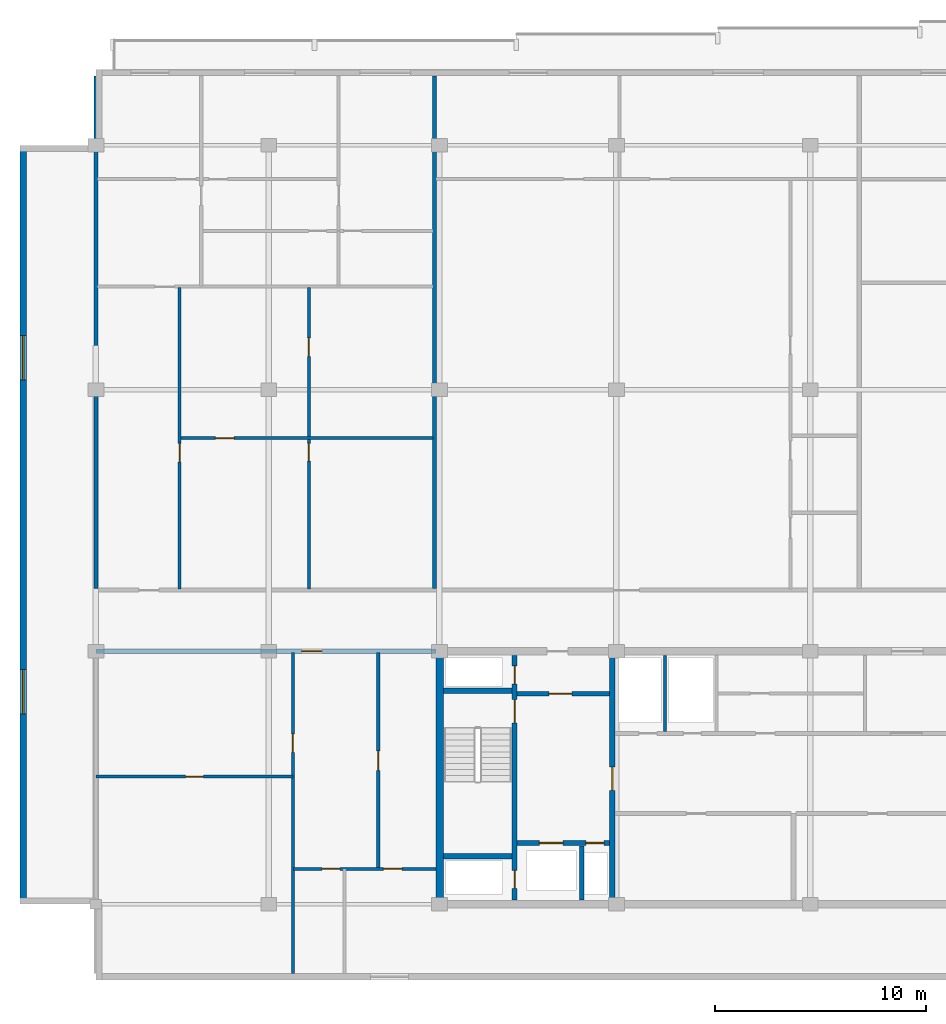
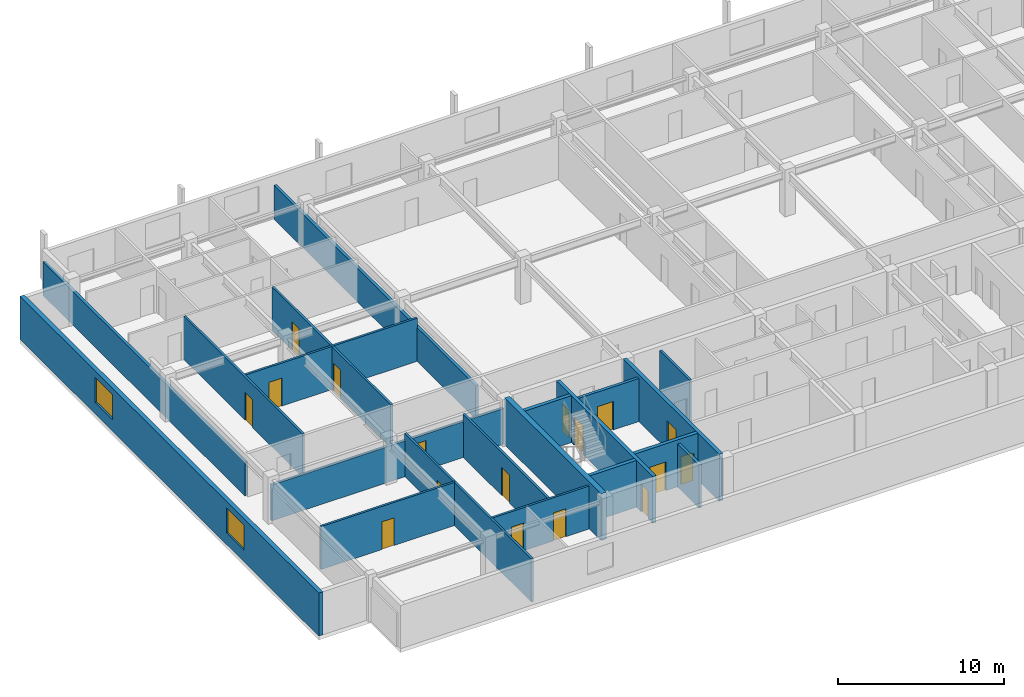
# One storey, part 3 of 10: 20 walls, 17 doors, 2 windows, 19 openings.
"""IFC4 building model written with IfcOpenShell, lengths in metres."""

from ifc_helpers import new_model, si_unit, direction, frame, frame_2d, origin, place, context, subcontext, project, spatial, rectangle, extrude, material, layer, layer_set, type_object, element, fill, save


model = new_model("IFC4")

# Units and contexts
model_context = context("Model", 3, precision=1e-05, world=origin(), true_north=direction((0.0, 1.0)))
body_context = subcontext(model_context, "Body", "Model", "MODEL_VIEW")
ifc_project = project(units=[si_unit("LENGTHUNIT", "METRE"), si_unit("AREAUNIT", "SQUARE_METRE"), si_unit("VOLUMEUNIT", "CUBIC_METRE"), si_unit("PLANEANGLEUNIT", "RADIAN"), si_unit("MASSUNIT", "GRAM", prefix="KILO")], contexts=[model_context])

# Site, building, storey
site_placement = place(None, origin())
site = spatial("IfcSite", under=ifc_project, at=site_placement, CompositionType="ELEMENT")
building_placement = place(site_placement, origin())
building = spatial("IfcBuilding", under=site, at=building_placement, Name="Korimba Cascade Residences", CompositionType="ELEMENT")
storey_placement = place(building_placement, frame((0.0, 0.0, 245.89990234375)))
storey = spatial("IfcBuildingStorey", under=building, at=storey_placement, Name="L71", CompositionType="ELEMENT", Elevation=245.89990234375)

# Wall, openings, windows
ifc_material_1 = material(Name="Precast concrete C40/50", Category="concrete")
ifc_layer_1 = layer(ifc_material_1, 0.300048828125)
ifc_layer_set_1 = layer_set([ifc_layer_1], Name="Precast concrete C40/50")
wall_type_1 = type_object("IfcWallType", Name="EW-STONE-300", PredefinedType="STANDARD", material=ifc_layer_set_1)
wall_1_placement = place(storey_placement, frame((56.35009765625, 91.199951171875, 0.0), z_axis=(0.0, 0.0, 1.0), x_axis=(0.0, -1.0, 0.0)))
wall_1 = element("IfcWall", 1, at=wall_1_placement, inside=storey, type_object=wall_type_1, Name="L71 T1 Perimeter Stone Wall E09", PredefinedType="STANDARD", context=body_context, shape_type="SweptSolid", body=[
    extrude(rectangle(XDim=36.0, YDim=0.300048828125, at=frame_2d((18.0, 0.0))), origin(), (0.0, 0.0, 1.0), 3.170166015625),
])
opening_1_placement = place(wall_1_placement, frame((9.030029296875, 0.0, 0.85009765625)))
opening_1 = element("IfcOpeningElement", 2, at=opening_1_placement, cuts=wall_1, Name="Opening W-03", PredefinedType="OPENING", context=body_context, shape_type="SweptSolid", body=[
    extrude(rectangle(XDim=2.10009765625, YDim=1.85009765625, at=frame_2d((1.050048828125, 0.925048828125))), frame((0.0, 0.16015625, 0.0), z_axis=(0.0, -1.0, 0.0), x_axis=(1.0, 0.0, 0.0)), (0.0, 0.0, 1.0), 0.320068359375),
])
opening_2_placement = place(wall_1_placement, frame((24.8701171875, 0.0, 0.85009765625)))
opening_2 = element("IfcOpeningElement", 3, at=opening_2_placement, cuts=wall_1, Name="Opening W-03", PredefinedType="OPENING", context=body_context, shape_type="SweptSolid", body=[
    extrude(rectangle(XDim=2.10009765625, YDim=1.85009765625, at=frame_2d((1.050048828125, 0.925048828125))), frame((0.0, 0.16015625, 0.0), z_axis=(0.0, -1.0, 0.0), x_axis=(1.0, 0.0, 0.0)), (0.0, 0.0, 1.0), 0.320068359375),
])
ifc_material_2 = material(Name="Double-Glazed Aluminium Window", Category="aluminium")
window_type = type_object("IfcWindowType", Name="WIN-CRN-2100", PartitioningType="DOUBLE_PANEL_HORIZONTAL", PredefinedType="WINDOW", material=ifc_material_2)
window_1_placement = place(opening_1_placement, origin())
window_1 = element("IfcWindow", 4, at=window_1_placement, inside=storey, type_object=window_type, Name="L71 T1 End View Window 9.1", OverallHeight=1.85009765625, OverallWidth=2.10009765625, PartitioningType="DOUBLE_PANEL_HORIZONTAL", PredefinedType="WINDOW", context=body_context, shape_type="SweptSolid", body=[
    extrude(rectangle(XDim=2.10009765625, YDim=1.85009765625, at=frame_2d((1.050048828125, 0.925048828125))), frame((0.0, 0.030029296875, 0.0), z_axis=(0.0, -1.0, 0.0), x_axis=(1.0, 0.0, 0.0)), (0.0, 0.0, 1.0), 0.06005859375),
])
fill(opening_1, window_1)
window_2_placement = place(opening_2_placement, origin())
window_2 = element("IfcWindow", 5, at=window_2_placement, inside=storey, type_object=window_type, Name="L71 T1 End View Window 9.2", OverallHeight=1.85009765625, OverallWidth=2.10009765625, PartitioningType="DOUBLE_PANEL_HORIZONTAL", PredefinedType="WINDOW", context=body_context, shape_type="SweptSolid", body=[
    extrude(rectangle(XDim=2.10009765625, YDim=1.85009765625, at=frame_2d((1.050048828125, 0.925048828125))), frame((0.0, 0.030029296875, 0.0), z_axis=(0.0, -1.0, 0.0), x_axis=(1.0, 0.0, 0.0)), (0.0, 0.0, 1.0), 0.06005859375),
])
fill(opening_2, window_2)

# Wall
ifc_material_3 = material(Name="Concrete C65/80", Category="concrete")
ifc_layer_2 = layer(ifc_material_3, 0.35009765625)
ifc_layer_set_2 = layer_set([ifc_layer_2], Name="Concrete C65/80")
wall_type_2 = type_object("IfcWallType", Name="WAL-CORE-350", PredefinedType="SHEAR", material=ifc_layer_set_2)
wall_2_placement = place(storey_placement, frame((76.125, 55.375, 0.0), z_axis=(0.0, 0.0, 1.0), x_axis=(0.0, 1.0, 0.0)))
element("IfcWall", 6, at=wall_2_placement, inside=storey, type_object=wall_type_2, Name="L71 Core Shear Wall CW-L71-T1-W", PredefinedType="SHEAR", context=body_context, shape_type="SweptSolid", body=[
    extrude(rectangle(XDim=11.64990234375, YDim=0.35009765625, at=frame_2d((5.824951171875, 0.0))), origin(), (0.0, 0.0, 1.0), 3.4501953125),
])

# Wall, opening, door
ifc_layer_3 = layer(ifc_material_1, 0.199951171875)
ifc_layer_set_3 = layer_set([ifc_layer_3], Name="Precast concrete C40/50")
wall_type_3 = type_object("IfcWallType", Name="WAL-IT-200", PredefinedType="PARTITIONING", material=ifc_layer_set_3)
wall_3_placement = place(storey_placement, frame((59.800048828125, 67.199951171875, 0.0), z_axis=(0.0, 0.0, 1.0), x_axis=(1.0, 0.0, 0.0)))
wall_3 = element("IfcWall", 7, at=wall_3_placement, inside=storey, type_object=wall_type_3, Name="L71 Partition Wall WAL-L71-T1-FW-N", PredefinedType="PARTITIONING", context=body_context, shape_type="SweptSolid", body=[
    extrude(rectangle(XDim=16.14990234375, YDim=0.199951171875, at=frame_2d((8.074951171875, 0.0))), origin(), (0.0, 0.0, 1.0), 2.63330078125),
])
opening_3_placement = place(wall_3_placement, frame((9.7724609375, 0.0, 0.0)))
opening_3 = element("IfcOpeningElement", 8, at=opening_3_placement, cuts=wall_3, Name="Opening D-UN1", PredefinedType="OPENING", context=body_context, shape_type="SweptSolid", body=[
    extrude(rectangle(XDim=0.949951171875, YDim=2.14990234375, at=frame_2d((0.47509765625, 1.074951171875))), frame((0.0, 0.10986328125, 0.0), z_axis=(0.0, -1.0, 0.0), x_axis=(1.0, 0.0, 0.0)), (0.0, 0.0, 1.0), 0.219970703125),
])
ifc_material_4 = material(Name="Fire-Rated Hardwood Apartment Entrance Door", Category="wood")
door_type_1 = type_object("IfcDoorType", Name="DR-FD60-950", OperationType="NOTDEFINED", PredefinedType="DOOR", material=ifc_material_4)
door_1_placement = place(opening_3_placement, origin())
door_1 = element("IfcDoor", 9, at=door_1_placement, inside=storey, type_object=door_type_1, Name="L71-T1-FW Entrance Door", OperationType="SINGLE_SWING_LEFT", OverallHeight=2.14990234375, OverallWidth=0.949951171875, PredefinedType="DOOR", context=body_context, shape_type="SweptSolid", body=[
    extrude(rectangle(XDim=0.949951171875, YDim=2.14990234375, at=frame_2d((0.47509765625, 1.074951171875))), frame((0.0, 0.02490234375, 0.0), z_axis=(0.0, -1.0, 0.0), x_axis=(1.0, 0.0, 0.0)), (0.0, 0.0, 1.0), 0.050048828125),
])
fill(opening_3, door_1)

# Walls
for number, where, z_axis, x_axis, name in (
    (10, (59.800048828125, 70.179931640625, 0.0), (0.0, 0.0, 1.0), (0.0, 1.0, 0.0), "L71 Partition Wall WAL-L71-T1-BNDWL"),
    (11, (75.864990234375, 70.179931640625, 0.0), (0.0, 0.0, 1.0), (0.0, 1.0, 0.0), "L71 Partition Wall WAL-L71-T1-DEM-1"),
):
    element("IfcWall", number, at=place(storey_placement, frame(where, z_axis=z_axis, x_axis=x_axis)), inside=storey, type_object=wall_type_3, Name=name, PredefinedType="PARTITIONING", context=body_context, shape_type="SweptSolid", body=[
        extrude(rectangle(XDim=24.320068359375, YDim=0.199951171875, at=frame_2d((12.16015625, 0.0))), origin(), (0.0, 0.0, 1.0), 2.477294921875),
    ])
ifc_material_5 = material(Name="Insulated Acoustic Stud Partition", Category="gypsum")
ifc_layer_4 = layer(ifc_material_5, 0.14990234375)
ifc_layer_set_4 = layer_set([ifc_layer_4], Name="Insulated Acoustic Stud Partition")
wall_type_4 = type_object("IfcWallType", Name="WAL-PART-150", PredefinedType="PARTITIONING", material=ifc_layer_set_4)
wall_4_placement = place(storey_placement, frame((86.800048828125, 63.39990234375, 0.0), z_axis=(0.0, 0.0, 1.0), x_axis=(0.0, 1.0, 0.0)))
element("IfcWall", 12, at=wall_4_placement, inside=storey, type_object=wall_type_4, Name="L71 Partition Wall CW-L71-T1-ERDIV", PredefinedType="PARTITIONING", context=body_context, shape_type="SweptSolid", body=[
    extrude(rectangle(XDim=3.60009765625, YDim=0.14990234375, at=frame_2d((1.800048828125, 0.0))), origin(), (0.0, 0.0, 1.0), 3.170166015625),
])

# Wall, opening, door
wall_5_placement = place(storey_placement, frame((59.800048828125, 61.25, 0.0), z_axis=(0.0, 0.0, 1.0), x_axis=(1.0, 0.0, 0.0)))
wall_5 = element("IfcWall", 13, at=wall_5_placement, inside=storey, type_object=wall_type_4, Name="L71 Partition Wall WAL-L71-T1-FW-STH", PredefinedType="PARTITIONING", context=body_context, shape_type="SweptSolid", body=[
    extrude(rectangle(XDim=9.349853515625, YDim=0.14990234375, at=frame_2d((4.6748046875, 0.0))), origin(), (0.0, 0.0, 1.0), 3.170166015625),
])
opening_4_placement = place(wall_5_placement, frame((4.2548828125, 0.0, 0.0)))
opening_4 = element("IfcOpeningElement", 14, at=opening_4_placement, cuts=wall_5, Name="Opening D-BT1", PredefinedType="OPENING", context=body_context, shape_type="SweptSolid", body=[
    extrude(rectangle(XDim=0.840087890625, YDim=2.0400390625, at=frame_2d((0.419921875, 1.02001953125))), frame((0.0, 0.0849609375, 0.0), z_axis=(0.0, -1.0, 0.0), x_axis=(1.0, 0.0, 0.0)), (0.0, 0.0, 1.0), 0.169921875),
])
ifc_material_6 = material(Name="Moisture-Resistant Bathroom Timber Door", Category="wood")
door_type_2 = type_object("IfcDoorType", Name="DR-INT-850", OperationType="NOTDEFINED", PredefinedType="DOOR", material=ifc_material_6)
door_2_placement = place(opening_4_placement, origin())
door_2 = element("IfcDoor", 15, at=door_2_placement, inside=storey, type_object=door_type_2, Name="L71-T1-FW Dressing Store Door", OperationType="SINGLE_SWING_RIGHT", OverallHeight=2.0400390625, OverallWidth=0.840087890625, PredefinedType="DOOR", context=body_context, shape_type="SweptSolid", body=[
    extrude(rectangle(XDim=0.840087890625, YDim=2.0400390625, at=frame_2d((0.419921875, 1.02001953125))), frame((0.0, 0.02490234375, 0.0), z_axis=(0.0, -1.0, 0.0), x_axis=(1.0, 0.0, 0.0)), (0.0, 0.0, 1.0), 0.050048828125),
])
fill(opening_4, door_2)

wall_6_placement = place(storey_placement, frame((69.14990234375, 51.89990234375, 0.0), z_axis=(0.0, 0.0, 1.0), x_axis=(0.0, 1.0, 0.0)))
wall_6 = element("IfcWall", 16, at=wall_6_placement, inside=storey, type_object=wall_type_4, Name="L71 Partition Wall WAL-L71-T1-FW-STV", PredefinedType="PARTITIONING", context=body_context, shape_type="SweptSolid", body=[
    extrude(rectangle(XDim=15.25, YDim=0.14990234375, at=frame_2d((7.625, 0.0))), origin(), (0.0, 0.0, 1.0), 3.170166015625),
])
opening_5_placement = place(wall_6_placement, frame((10.5, 0.0, 0.0)))
opening_5 = element("IfcOpeningElement", 17, at=opening_5_placement, cuts=wall_6, Name="Opening D-IN2", PredefinedType="OPENING", context=body_context, shape_type="SweptSolid", body=[
    extrude(rectangle(XDim=0.8798828125, YDim=2.06005859375, at=frame_2d((0.43994140625, 1.030029296875))), frame((0.0, 0.0849609375, 0.0), z_axis=(0.0, -1.0, 0.0), x_axis=(1.0, 0.0, 0.0)), (0.0, 0.0, 1.0), 0.169921875),
])
ifc_material_7 = material(Name="Acoustic Timber Bedroom Door", Category="wood")
door_type_3 = type_object("IfcDoorType", Name="DR-INT-880", OperationType="NOTDEFINED", PredefinedType="DOOR", material=ifc_material_7)
door_3_placement = place(opening_5_placement, origin())
door_3 = element("IfcDoor", 18, at=door_3_placement, inside=storey, type_object=door_type_3, Name="L71-T1-FW Study Door", OperationType="SINGLE_SWING_LEFT", OverallHeight=2.06005859375, OverallWidth=0.8798828125, PredefinedType="DOOR", context=body_context, shape_type="SweptSolid", body=[
    extrude(rectangle(XDim=0.8798828125, YDim=2.06005859375, at=frame_2d((0.43994140625, 1.030029296875))), frame((0.0, 0.02490234375, 0.0), z_axis=(0.0, -1.0, 0.0), x_axis=(1.0, 0.0, 0.0)), (0.0, 0.0, 1.0), 0.050048828125),
])
fill(opening_5, door_3)

wall_7_placement = place(storey_placement, frame((73.199951171875, 56.8701171875, 0.0), z_axis=(0.0, 0.0, 1.0), x_axis=(0.0, 1.0, 0.0)))
wall_7 = element("IfcWall", 19, at=wall_7_placement, inside=storey, type_object=wall_type_4, Name="L71 Partition Wall WAL-L71-T1-FW-VN", PredefinedType="PARTITIONING", context=body_context, shape_type="SweptSolid", body=[
    extrude(rectangle(XDim=10.27978515625, YDim=0.14990234375, at=frame_2d((5.139892578125, 0.0))), origin(), (0.0, 0.0, 1.0), 3.170166015625),
])
opening_6_placement = place(wall_7_placement, frame((4.679931640625, 0.0, 0.0)))
opening_6 = element("IfcOpeningElement", 20, at=opening_6_placement, cuts=wall_7, Name="Opening D-IN1", PredefinedType="OPENING", context=body_context, shape_type="SweptSolid", body=[
    extrude(rectangle(XDim=0.919921875, YDim=2.080078125, at=frame_2d((0.4599609375, 1.0400390625))), frame((0.0, 0.0849609375, 0.0), z_axis=(0.0, -1.0, 0.0), x_axis=(1.0, 0.0, 0.0)), (0.0, 0.0, 1.0), 0.169921875),
])
ifc_material_8 = material(Name="Acoustic Timber Living Door", Category="wood")
door_type_4 = type_object("IfcDoorType", Name="DR-INT-920", OperationType="NOTDEFINED", PredefinedType="DOOR", material=ifc_material_8)
door_4_placement = place(opening_6_placement, origin())
door_4 = element("IfcDoor", 21, at=door_4_placement, inside=storey, type_object=door_type_4, Name="L71-T1-FW Living Door", OperationType="SINGLE_SWING_RIGHT", OverallHeight=2.080078125, OverallWidth=0.919921875, PredefinedType="DOOR", context=body_context, shape_type="SweptSolid", body=[
    extrude(rectangle(XDim=0.919921875, YDim=2.080078125, at=frame_2d((0.4599609375, 1.0400390625))), frame((0.0, 0.02490234375, 0.0), z_axis=(0.0, -1.0, 0.0), x_axis=(1.0, 0.0, 0.0)), (0.0, 0.0, 1.0), 0.050048828125),
])
fill(opening_6, door_4)

# Wall, openings, doors
wall_8_placement = place(storey_placement, frame((69.169921875, 56.8701171875, 0.0), z_axis=(0.0, 0.0, 1.0), x_axis=(1.0, 0.0, 0.0)))
wall_8 = element("IfcWall", 22, at=wall_8_placement, inside=storey, type_object=wall_type_4, Name="L71 Partition Wall WAL-L71-T1-FW-H", PredefinedType="PARTITIONING", context=body_context, shape_type="SweptSolid", body=[
    extrude(rectangle(XDim=6.760009765625, YDim=0.14990234375, at=frame_2d((3.3798828125, 0.0))), origin(), (0.0, 0.0, 1.0), 3.170166015625),
])
opening_7_placement = place(wall_8_placement, frame((1.3623046875, 0.0, 0.0)))
opening_7 = element("IfcOpeningElement", 23, at=opening_7_placement, cuts=wall_8, Name="Opening D-BT1", PredefinedType="OPENING", context=body_context, shape_type="SweptSolid", body=[
    extrude(rectangle(XDim=0.840087890625, YDim=2.0400390625, at=frame_2d((0.419921875, 1.02001953125))), frame((0.0, 0.0849609375, 0.0), z_axis=(0.0, -1.0, 0.0), x_axis=(1.0, 0.0, 0.0)), (0.0, 0.0, 1.0), 0.169921875),
])
opening_8_placement = place(wall_8_placement, frame((4.276611328125, 0.0, 0.0)))
opening_8 = element("IfcOpeningElement", 24, at=opening_8_placement, cuts=wall_8, Name="Opening D-IN2", PredefinedType="OPENING", context=body_context, shape_type="SweptSolid", body=[
    extrude(rectangle(XDim=0.8798828125, YDim=2.06005859375, at=frame_2d((0.43994140625, 1.030029296875))), frame((0.0, 0.0849609375, 0.0), z_axis=(0.0, -1.0, 0.0), x_axis=(1.0, 0.0, 0.0)), (0.0, 0.0, 1.0), 0.169921875),
])
door_5_placement = place(opening_7_placement, origin())
door_5 = element("IfcDoor", 25, at=door_5_placement, inside=storey, type_object=door_type_2, Name="L71-T1-FW Bathroom Door", OperationType="SINGLE_SWING_LEFT", OverallHeight=2.0400390625, OverallWidth=0.840087890625, PredefinedType="DOOR", context=body_context, shape_type="SweptSolid", body=[
    extrude(rectangle(XDim=0.840087890625, YDim=2.0400390625, at=frame_2d((0.419921875, 1.02001953125))), frame((0.0, 0.02490234375, 0.0), z_axis=(0.0, -1.0, 0.0), x_axis=(1.0, 0.0, 0.0)), (0.0, 0.0, 1.0), 0.050048828125),
])
fill(opening_7, door_5)
door_6_placement = place(opening_8_placement, origin())
door_6 = element("IfcDoor", 26, at=door_6_placement, inside=storey, type_object=door_type_3, Name="L71-T1-FW Bedroom Door", OperationType="SINGLE_SWING_RIGHT", OverallHeight=2.06005859375, OverallWidth=0.8798828125, PredefinedType="DOOR", context=body_context, shape_type="SweptSolid", body=[
    extrude(rectangle(XDim=0.8798828125, YDim=2.06005859375, at=frame_2d((0.43994140625, 1.030029296875))), frame((0.0, 0.02490234375, 0.0), z_axis=(0.0, -1.0, 0.0), x_axis=(1.0, 0.0, 0.0)), (0.0, 0.0, 1.0), 0.050048828125),
])
fill(opening_8, door_6)

wall_9_placement = place(storey_placement, frame((69.90771484375, 70.159912109375, 0.0), z_axis=(0.0, 0.0, 1.0), x_axis=(0.0, 1.0, 0.0)))
wall_9 = element("IfcWall", 27, at=wall_9_placement, inside=storey, type_object=wall_type_4, Name="L71 Partition Wall WAL-L71-T1-U01-FMV", PredefinedType="PARTITIONING", context=body_context, shape_type="SweptSolid", body=[
    extrude(rectangle(XDim=14.300048828125, YDim=0.14990234375, at=frame_2d((7.14990234375, 0.0))), origin(), (0.0, 0.0, 1.0), 3.170166015625),
])
opening_9_placement = place(wall_9_placement, frame((6.06005859375, 0.0, 0.0)))
opening_9 = element("IfcOpeningElement", 28, at=opening_9_placement, cuts=wall_9, Name="Opening D-BT1", PredefinedType="OPENING", context=body_context, shape_type="SweptSolid", body=[
    extrude(rectangle(XDim=0.840087890625, YDim=2.0400390625, at=frame_2d((0.419921875, 1.02001953125))), frame((0.0, 0.0849609375, 0.0), z_axis=(0.0, -1.0, 0.0), x_axis=(1.0, 0.0, 0.0)), (0.0, 0.0, 1.0), 0.169921875),
])
opening_10_placement = place(wall_9_placement, frame((11.02880859375, 0.0, 0.0)))
opening_10 = element("IfcOpeningElement", 29, at=opening_10_placement, cuts=wall_9, Name="Opening D-IN2", PredefinedType="OPENING", context=body_context, shape_type="SweptSolid", body=[
    extrude(rectangle(XDim=0.8798828125, YDim=2.06005859375, at=frame_2d((0.43994140625, 1.030029296875))), frame((0.0, 0.0849609375, 0.0), z_axis=(0.0, -1.0, 0.0), x_axis=(1.0, 0.0, 0.0)), (0.0, 0.0, 1.0), 0.169921875),
])
door_7_placement = place(opening_9_placement, origin())
door_7 = element("IfcDoor", 30, at=door_7_placement, inside=storey, type_object=door_type_2, Name="L71-T1-U01 Wardrobe Door", OperationType="SINGLE_SWING_RIGHT", OverallHeight=2.0400390625, OverallWidth=0.840087890625, PredefinedType="DOOR", context=body_context, shape_type="SweptSolid", body=[
    extrude(rectangle(XDim=0.840087890625, YDim=2.0400390625, at=frame_2d((0.419921875, 1.02001953125))), frame((0.0, 0.02490234375, 0.0), z_axis=(0.0, -1.0, 0.0), x_axis=(1.0, 0.0, 0.0)), (0.0, 0.0, 1.0), 0.050048828125),
])
fill(opening_9, door_7)
door_8_placement = place(opening_10_placement, origin())
door_8 = element("IfcDoor", 31, at=door_8_placement, inside=storey, type_object=door_type_3, Name="L71-T1-U01 Music Lounge Door", OperationType="SINGLE_SWING_LEFT", OverallHeight=2.06005859375, OverallWidth=0.8798828125, PredefinedType="DOOR", context=body_context, shape_type="SweptSolid", body=[
    extrude(rectangle(XDim=0.8798828125, YDim=2.06005859375, at=frame_2d((0.43994140625, 1.030029296875))), frame((0.0, 0.02490234375, 0.0), z_axis=(0.0, -1.0, 0.0), x_axis=(1.0, 0.0, 0.0)), (0.0, 0.0, 1.0), 0.050048828125),
])
fill(opening_10, door_8)

# Wall, opening, door
wall_10_placement = place(storey_placement, frame((63.830078125, 77.31005859375, 0.0), z_axis=(0.0, 0.0, 1.0), x_axis=(1.0, 0.0, 0.0)))
wall_10 = element("IfcWall", 32, at=wall_10_placement, inside=storey, type_object=wall_type_4, Name="L71 Partition Wall WAL-L71-T1-U01-FMH", PredefinedType="PARTITIONING", context=body_context, shape_type="SweptSolid", body=[
    extrude(rectangle(XDim=11.955078125, YDim=0.14990234375, at=frame_2d((5.9775390625, 0.0))), origin(), (0.0, 0.0, 1.0), 3.170166015625),
])
opening_11_placement = place(wall_10_placement, frame((1.645751953125, 0.0, 0.0)))
opening_11 = element("IfcOpeningElement", 33, at=opening_11_placement, cuts=wall_10, Name="Opening D-IN2", PredefinedType="OPENING", context=body_context, shape_type="SweptSolid", body=[
    extrude(rectangle(XDim=0.8798828125, YDim=2.06005859375, at=frame_2d((0.43994140625, 1.030029296875))), frame((0.0, 0.0849609375, 0.0), z_axis=(0.0, -1.0, 0.0), x_axis=(1.0, 0.0, 0.0)), (0.0, 0.0, 1.0), 0.169921875),
])
door_9_placement = place(opening_11_placement, origin())
door_9 = element("IfcDoor", 34, at=door_9_placement, inside=storey, type_object=door_type_3, Name="L71-T1-U01 Library Salon Door", OperationType="SINGLE_SWING_RIGHT", OverallHeight=2.06005859375, OverallWidth=0.8798828125, PredefinedType="DOOR", context=body_context, shape_type="SweptSolid", body=[
    extrude(rectangle(XDim=0.8798828125, YDim=2.06005859375, at=frame_2d((0.43994140625, 1.030029296875))), frame((0.0, 0.02490234375, 0.0), z_axis=(0.0, -1.0, 0.0), x_axis=(1.0, 0.0, 0.0)), (0.0, 0.0, 1.0), 0.050048828125),
])
fill(opening_11, door_9)

wall_11_placement = place(storey_placement, frame((63.77001953125, 70.159912109375, 0.0), z_axis=(0.0, 0.0, 1.0), x_axis=(0.0, 1.0, 0.0)))
wall_11 = element("IfcWall", 35, at=wall_11_placement, inside=storey, type_object=wall_type_4, Name="L71 Partition Wall WAL-L71-T1-U01-FV", PredefinedType="PARTITIONING", context=body_context, shape_type="SweptSolid", body=[
    extrude(rectangle(XDim=14.300048828125, YDim=0.14990234375, at=frame_2d((7.14990234375, 0.0))), origin(), (0.0, 0.0, 1.0), 3.170166015625),
])
opening_12_placement = place(wall_11_placement, frame((6.02001953125, 0.0, 0.0)))
opening_12 = element("IfcOpeningElement", 36, at=opening_12_placement, cuts=wall_11, Name="Opening D-IN2", PredefinedType="OPENING", context=body_context, shape_type="SweptSolid", body=[
    extrude(rectangle(XDim=0.8798828125, YDim=2.06005859375, at=frame_2d((0.43994140625, 1.030029296875))), frame((0.0, 0.0849609375, 0.0), z_axis=(0.0, -1.0, 0.0), x_axis=(1.0, 0.0, 0.0)), (0.0, 0.0, 1.0), 0.169921875),
])
door_10_placement = place(opening_12_placement, origin())
door_10 = element("IfcDoor", 37, at=door_10_placement, inside=storey, type_object=door_type_3, Name="L71-T1-U01 Media Lounge Door", OperationType="SINGLE_SWING_LEFT", OverallHeight=2.06005859375, OverallWidth=0.8798828125, PredefinedType="DOOR", context=body_context, shape_type="SweptSolid", body=[
    extrude(rectangle(XDim=0.8798828125, YDim=2.06005859375, at=frame_2d((0.43994140625, 1.030029296875))), frame((0.0, 0.02490234375, 0.0), z_axis=(0.0, -1.0, 0.0), x_axis=(1.0, 0.0, 0.0)), (0.0, 0.0, 1.0), 0.050048828125),
])
fill(opening_12, door_10)

# Wall
ifc_material_9 = material(Name="Concrete C40/50", Category="concrete")
ifc_layer_5 = layer(ifc_material_9, 0.199951171875)
ifc_layer_set_5 = layer_set([ifc_layer_5], Name="Concrete C40/50")
wall_type_5 = type_object("IfcWallType", Name="WAL-PART-200", PredefinedType="PARTITIONING", material=ifc_layer_set_5)
wall_12_placement = place(storey_placement, frame((82.85009765625, 55.39990234375, 0.0), z_axis=(0.0, 0.0, 1.0), x_axis=(0.0, 1.0, 0.0)))
element("IfcWall", 38, at=wall_12_placement, inside=storey, type_object=wall_type_5, Name="L71 Partition Wall CW-L71-T1-FFLDIV", PredefinedType="PARTITIONING", context=body_context, shape_type="SweptSolid", body=[
    extrude(rectangle(XDim=2.56005859375, YDim=0.199951171875, at=frame_2d((1.280029296875, 0.0))), origin(), (0.0, 0.0, 1.0), 3.170166015625),
])

# Wall, opening, door
wall_13_placement = place(storey_placement, frame((79.7900390625, 65.179931640625, 0.0), z_axis=(0.0, 0.0, 1.0), x_axis=(1.0, 0.0, 0.0)))
wall_13 = element("IfcWall", 39, at=wall_13_placement, inside=storey, type_object=wall_type_5, Name="L71 Partition Wall CW-L71-T1-FFLN", PredefinedType="PARTITIONING", context=body_context, shape_type="SweptSolid", body=[
    extrude(rectangle(XDim=4.389892578125, YDim=0.199951171875, at=frame_2d((2.19482421875, 0.0))), origin(), (0.0, 0.0, 1.0), 3.170166015625),
])
opening_13_placement = place(wall_13_placement, frame((1.5, 0.0, 0.0)))
opening_13 = element("IfcOpeningElement", 40, at=opening_13_placement, cuts=wall_13, Name="Opening D-FD1", PredefinedType="OPENING", context=body_context, shape_type="SweptSolid", body=[
    extrude(rectangle(XDim=1.10009765625, YDim=2.10009765625, at=frame_2d((0.550048828125, 1.050048828125))), frame((0.0, 0.10986328125, 0.0), z_axis=(0.0, -1.0, 0.0), x_axis=(1.0, 0.0, 0.0)), (0.0, 0.0, 1.0), 0.219970703125),
])
ifc_material_10 = material(Name="Fire-Rated Steel Core Door", Category="steel")
door_type_5 = type_object("IfcDoorType", Name="DR-FD120-1100", OperationType="NOTDEFINED", PredefinedType="DOOR", material=ifc_material_10)
door_11_placement = place(opening_13_placement, origin())
door_11 = element("IfcDoor", 41, at=door_11_placement, inside=storey, type_object=door_type_5, Name="L71 West Firefighting Lobby Door", OperationType="SINGLE_SWING_LEFT", OverallHeight=2.10009765625, OverallWidth=1.10009765625, PredefinedType="DOOR", context=body_context, shape_type="SweptSolid", body=[
    extrude(rectangle(XDim=1.10009765625, YDim=2.10009765625, at=frame_2d((0.550048828125, 1.050048828125))), frame((0.0, 0.02490234375, 0.0), z_axis=(0.0, -1.0, 0.0), x_axis=(1.0, 0.0, 0.0)), (0.0, 0.0, 1.0), 0.050048828125),
])
fill(opening_13, door_11)

# Wall, openings, doors
ifc_material_11 = material(Name="Concrete C50/60", Category="concrete")
ifc_layer_6 = layer(ifc_material_11, 0.25)
ifc_layer_set_6 = layer_set([ifc_layer_6], Name="Concrete C50/60")
wall_type_6 = type_object("IfcWallType", Name="WAL-SHAFT-250", PredefinedType="SHEAR", material=ifc_layer_set_6)
wall_14_placement = place(storey_placement, frame((79.6650390625, 55.39990234375, 0.0), z_axis=(0.0, 0.0, 1.0), x_axis=(0.0, 1.0, 0.0)))
wall_14 = element("IfcWall", 42, at=wall_14_placement, inside=storey, type_object=wall_type_6, Name="L71 Core Shear Wall CW-L71-T1-STW1E", PredefinedType="SHEAR", context=body_context, shape_type="SweptSolid", body=[
    extrude(rectangle(XDim=11.60009765625, YDim=0.25, at=frame_2d((5.800048828125, 0.0))), origin(), (0.0, 0.0, 1.0), 3.4501953125),
])
opening_14_placement = place(wall_14_placement, frame((0.550048828125, 0.0, 0.0)))
opening_14 = element("IfcOpeningElement", 43, at=opening_14_placement, cuts=wall_14, Name="Opening D-RS1", PredefinedType="OPENING", context=body_context, shape_type="SweptSolid", body=[
    extrude(rectangle(XDim=0.85009765625, YDim=2.050048828125, at=frame_2d((0.425048828125, 1.02490234375))), frame((0.0, 0.135009765625, 0.0), z_axis=(0.0, -1.0, 0.0), x_axis=(1.0, 0.0, 0.0)), (0.0, 0.0, 1.0), 0.27001953125),
])
opening_15_placement = place(wall_14_placement, frame((8.39990234375, 0.0, 0.0)))
opening_15 = element("IfcOpeningElement", 44, at=opening_15_placement, cuts=wall_14, Name="Opening D-FD1", PredefinedType="OPENING", context=body_context, shape_type="SweptSolid", body=[
    extrude(rectangle(XDim=1.10009765625, YDim=2.10009765625, at=frame_2d((0.550048828125, 1.050048828125))), frame((0.0, 0.135009765625, 0.0), z_axis=(0.0, -1.0, 0.0), x_axis=(1.0, 0.0, 0.0)), (0.0, 0.0, 1.0), 0.27001953125),
])
opening_16_placement = place(wall_14_placement, frame((10.25, 0.0, 0.0)))
opening_16 = element("IfcOpeningElement", 45, at=opening_16_placement, cuts=wall_14, Name="Opening D-RS1", PredefinedType="OPENING", context=body_context, shape_type="SweptSolid", body=[
    extrude(rectangle(XDim=0.85009765625, YDim=2.050048828125, at=frame_2d((0.425048828125, 1.02490234375))), frame((0.0, 0.135009765625, 0.0), z_axis=(0.0, -1.0, 0.0), x_axis=(1.0, 0.0, 0.0)), (0.0, 0.0, 1.0), 0.27001953125),
])
door_12_placement = place(opening_15_placement, origin())
door_12 = element("IfcDoor", 46, at=door_12_placement, inside=storey, type_object=door_type_5, Name="L71 Fire Stair ST-W1 Door", OperationType="SINGLE_SWING_RIGHT", OverallHeight=2.10009765625, OverallWidth=1.10009765625, PredefinedType="DOOR", context=body_context, shape_type="SweptSolid", body=[
    extrude(rectangle(XDim=1.10009765625, YDim=2.10009765625, at=frame_2d((0.550048828125, 1.050048828125))), frame((0.0, 0.02490234375, 0.0), z_axis=(0.0, -1.0, 0.0), x_axis=(1.0, 0.0, 0.0)), (0.0, 0.0, 1.0), 0.050048828125),
])
fill(opening_15, door_12)
ifc_material_12 = material(Name="Fire-Rated Steel Riser Access Door", Category="steel")
door_type_6 = type_object("IfcDoorType", Name="DR-FD60-850", OperationType="NOTDEFINED", PredefinedType="DOOR", material=ifc_material_12)
door_13_placement = place(opening_14_placement, origin())
door_13 = element("IfcDoor", 47, at=door_13_placement, inside=storey, type_object=door_type_6, Name="L71 Smoke Riser Access Door", OperationType="SINGLE_SWING_LEFT", OverallHeight=2.050048828125, OverallWidth=0.85009765625, PredefinedType="DOOR", context=body_context, shape_type="SweptSolid", body=[
    extrude(rectangle(XDim=0.85009765625, YDim=2.050048828125, at=frame_2d((0.425048828125, 1.02490234375))), frame((0.0, 0.02490234375, 0.0), z_axis=(0.0, -1.0, 0.0), x_axis=(1.0, 0.0, 0.0)), (0.0, 0.0, 1.0), 0.050048828125),
])
fill(opening_14, door_13)
door_14_placement = place(opening_16_placement, origin())
door_14 = element("IfcDoor", 48, at=door_14_placement, inside=storey, type_object=door_type_6, Name="L71 Hydrant Riser Access Door", OperationType="SINGLE_SWING_LEFT", OverallHeight=2.050048828125, OverallWidth=0.85009765625, PredefinedType="DOOR", context=body_context, shape_type="SweptSolid", body=[
    extrude(rectangle(XDim=0.85009765625, YDim=2.050048828125, at=frame_2d((0.425048828125, 1.02490234375))), frame((0.0, 0.02490234375, 0.0), z_axis=(0.0, -1.0, 0.0), x_axis=(1.0, 0.0, 0.0)), (0.0, 0.0, 1.0), 0.050048828125),
])
fill(opening_16, door_14)

# Walls
for number, where, z_axis, x_axis, name in (
    (49, (76.300048828125, 57.47509765625, 0.0), (0.0, 0.0, 1.0), (1.0, 0.0, 0.0), "L71 Core Shear Wall CW-L71-T1-STW1S"),
    (50, (76.300048828125, 65.324951171875, 0.0), (0.0, 0.0, 1.0), (1.0, 0.0, 0.0), "L71 Core Shear Wall CW-L71-T1-STW1N"),
):
    element("IfcWall", number, at=place(storey_placement, frame(where, z_axis=z_axis, x_axis=x_axis)), inside=storey, type_object=wall_type_6, Name=name, PredefinedType="SHEAR", context=body_context, shape_type="SweptSolid", body=[
        extrude(rectangle(XDim=3.239990234375, YDim=0.25, at=frame_2d((1.6201171875, 0.0))), origin(), (0.0, 0.0, 1.0), 3.4501953125),
    ])

# Wall, openings, doors
wall_15_placement = place(storey_placement, frame((79.7900390625, 58.10009765625, 0.0), z_axis=(0.0, 0.0, 1.0), x_axis=(1.0, 0.0, 0.0)))
wall_15 = element("IfcWall", 51, at=wall_15_placement, inside=storey, type_object=wall_type_6, Name="L71 Core Shear Wall CW-L71-T1-FFLS", PredefinedType="SHEAR", context=body_context, shape_type="SweptSolid", body=[
    extrude(rectangle(XDim=4.389892578125, YDim=0.25, at=frame_2d((2.19482421875, 0.0))), origin(), (0.0, 0.0, 1.0), 3.4501953125),
])
opening_17_placement = place(wall_15_placement, frame((1.050048828125, 0.0, 0.0)))
opening_17 = element("IfcOpeningElement", 52, at=opening_17_placement, cuts=wall_15, Name="Opening LD-01", PredefinedType="OPENING", context=body_context, shape_type="SweptSolid", body=[
    extrude(rectangle(XDim=1.1201171875, YDim=2.1201171875, at=frame_2d((0.56005859375, 1.06005859375))), frame((0.0, 0.135009765625, 0.0), z_axis=(0.0, -1.0, 0.0), x_axis=(1.0, 0.0, 0.0)), (0.0, 0.0, 1.0), 0.27001953125),
])
opening_18_placement = place(wall_15_placement, frame((3.260009765625, 0.0, 0.0)))
opening_18 = element("IfcOpeningElement", 53, at=opening_18_placement, cuts=wall_15, Name="Opening D-RS1", PredefinedType="OPENING", context=body_context, shape_type="SweptSolid", body=[
    extrude(rectangle(XDim=0.85009765625, YDim=2.050048828125, at=frame_2d((0.425048828125, 1.02490234375))), frame((0.0, 0.135009765625, 0.0), z_axis=(0.0, -1.0, 0.0), x_axis=(1.0, 0.0, 0.0)), (0.0, 0.0, 1.0), 0.27001953125),
])
door_15_placement = place(opening_18_placement, origin())
door_15 = element("IfcDoor", 54, at=door_15_placement, inside=storey, type_object=door_type_6, Name="L71 Pressurisation Riser Door", OperationType="SINGLE_SWING_RIGHT", OverallHeight=2.050048828125, OverallWidth=0.85009765625, PredefinedType="DOOR", context=body_context, shape_type="SweptSolid", body=[
    extrude(rectangle(XDim=0.85009765625, YDim=2.050048828125, at=frame_2d((0.425048828125, 1.02490234375))), frame((0.0, 0.02490234375, 0.0), z_axis=(0.0, -1.0, 0.0), x_axis=(1.0, 0.0, 0.0)), (0.0, 0.0, 1.0), 0.050048828125),
])
fill(opening_18, door_15)
ifc_material_13 = material(Name="Stainless Steel Lift Landing Sliding Door", Category="steel")
door_type_7 = type_object("IfcDoorType", Name="DR-LIFT-1100", OperationType="NOTDEFINED", PredefinedType="DOOR", material=ifc_material_13)
door_16_placement = place(opening_17_placement, origin())
door_16 = element("IfcDoor", 55, at=door_16_placement, inside=storey, type_object=door_type_7, Name="L71 Firefighting Lift Landing Door FFL-W1", OperationType="SLIDING_TO_LEFT", OverallHeight=2.1201171875, OverallWidth=1.1201171875, PredefinedType="DOOR", context=body_context, shape_type="SweptSolid", body=[
    extrude(rectangle(XDim=1.1201171875, YDim=2.1201171875, at=frame_2d((0.56005859375, 1.06005859375))), frame((0.0, 0.02490234375, 0.0), z_axis=(0.0, -1.0, 0.0), x_axis=(1.0, 0.0, 0.0)), (0.0, 0.0, 1.0), 0.050048828125),
])
fill(opening_17, door_16)

# Wall, opening, door
wall_16_placement = place(storey_placement, frame((84.300048828125, 55.39990234375, 0.0), z_axis=(0.0, 0.0, 1.0), x_axis=(0.0, 1.0, 0.0)))
wall_16 = element("IfcWall", 56, at=wall_16_placement, inside=storey, type_object=wall_type_6, Name="L71 Core Shear Wall CW-L71-T1-FFLE", PredefinedType="SHEAR", context=body_context, shape_type="SweptSolid", body=[
    extrude(rectangle(XDim=11.60009765625, YDim=0.25, at=frame_2d((5.800048828125, 0.0))), origin(), (0.0, 0.0, 1.0), 3.4501953125),
])
opening_19_placement = place(wall_16_placement, frame((5.199951171875, 0.0, 0.0)))
opening_19 = element("IfcOpeningElement", 57, at=opening_19_placement, cuts=wall_16, Name="Opening D-FD1", PredefinedType="OPENING", context=body_context, shape_type="SweptSolid", body=[
    extrude(rectangle(XDim=1.10009765625, YDim=2.10009765625, at=frame_2d((0.550048828125, 1.050048828125))), frame((0.0, 0.135009765625, 0.0), z_axis=(0.0, -1.0, 0.0), x_axis=(1.0, 0.0, 0.0)), (0.0, 0.0, 1.0), 0.27001953125),
])
door_17_placement = place(opening_19_placement, origin())
door_17 = element("IfcDoor", 58, at=door_17_placement, inside=storey, type_object=door_type_5, Name="L71 Firefighting Lobby to Lift Lobby Door", OperationType="SINGLE_SWING_RIGHT", OverallHeight=2.10009765625, OverallWidth=1.10009765625, PredefinedType="DOOR", context=body_context, shape_type="SweptSolid", body=[
    extrude(rectangle(XDim=1.10009765625, YDim=2.10009765625, at=frame_2d((0.550048828125, 1.050048828125))), frame((0.0, 0.02490234375, 0.0), z_axis=(0.0, -1.0, 0.0), x_axis=(1.0, 0.0, 0.0)), (0.0, 0.0, 1.0), 0.050048828125),
])
fill(opening_19, door_17)

save(model, "model.ifc")
